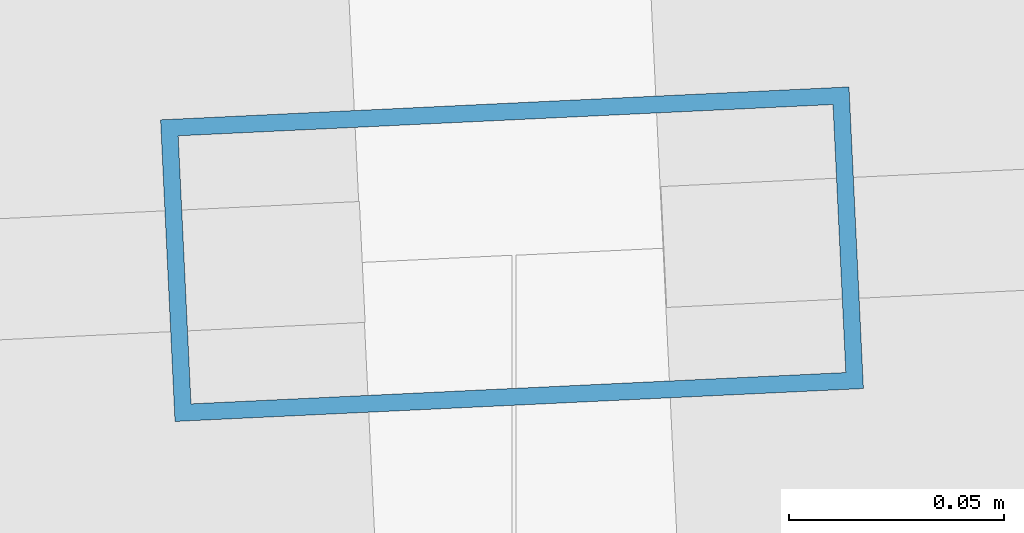
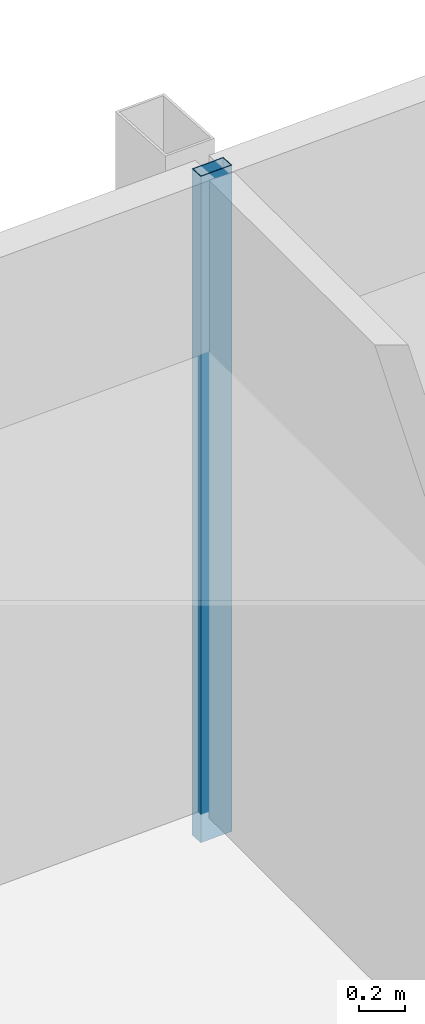
# One storey, part 19 of 34: 1 member, 1 element without a shape of its own.
"""IFC4 building model written with IfcOpenShell, lengths in metres."""

from ifc_helpers import new_model, si_unit, direction, frame, origin, origin_2d, place, context, subcontext, project, spatial, hollow_rectangle, extrude, material, material_profile, profile_set, type_object, element, aggregate, save


model = new_model("IFC4")

# Units and contexts
model_context = context("Model", 3, precision=1e-05, world=origin(), true_north=direction((0.0, 1.0)))
body_context = subcontext(model_context, "Body", "Model", "MODEL_VIEW")
ifc_project = project(units=[si_unit("LENGTHUNIT", "METRE"), si_unit("AREAUNIT", "SQUARE_METRE"), si_unit("VOLUMEUNIT", "CUBIC_METRE"), si_unit("PLANEANGLEUNIT", "RADIAN"), si_unit("MASSUNIT", "GRAM", prefix="KILO")], contexts=[model_context])

# Site, building, storey
site_placement = place(None, origin())
site = spatial("IfcSite", under=ifc_project, at=site_placement, CompositionType="ELEMENT")
building_placement = place(site_placement, origin())
building = spatial("IfcBuilding", under=site, at=building_placement, Name="Rekha Terrace Tower", CompositionType="ELEMENT")
storey_placement = place(building_placement, frame((0.0, 0.0, 176.449951171875)))
storey = spatial("IfcBuildingStorey", under=building, at=storey_placement, Name="L44", CompositionType="ELEMENT", Elevation=176.449951171875)

# Curtain wall, member
ifc_material_1 = material(Name="Aluminium framing", Category="aluminium")
curtain_wall_type = type_object("IfcCurtainWallType", Name="CW3 north unitised glazing", PredefinedType="USERDEFINED", material=ifc_material_1)
curtain_wall_placement = place(storey_placement, origin())
curtain_wall = element("IfcCurtainWall", 1, at=curtain_wall_placement, inside=storey, type_object=curtain_wall_type, Name="CW3 unitised curtain wall", ObjectType="UNITISED CURTAIN WALL", PredefinedType="USERDEFINED")
ifc_material_2 = material(Name="Aluminium mullion section", Category="aluminium")
ifc_material_profile = material_profile(ifc_material_2, hollow_rectangle(XDim=0.070068359375, YDim=0.159912109375, WallThickness=0.00390625, at=origin_2d()), Name="AL RHS 70x160")
ifc_profile_set = profile_set([ifc_material_profile], Name="Aluminium mullion section")
member_type = type_object("IfcMemberType", Name="CW3 mullion RHS 70 x 160", PredefinedType="MULLION", material=ifc_profile_set)
member_placement = place(storey_placement, frame((38.570068359375, 61.771240234375, 0.0), z_axis=(0.0, 0.0, 1.0), x_axis=(0.047758616983, -0.998858906204, 0.0)))
member = element("IfcMember", 2, at=member_placement, type_object=member_type, Name="CW3 mullion 2", PredefinedType="MULLION", context=body_context, shape_type="SweptSolid", body=[
    extrude(hollow_rectangle(XDim=0.070068359375, YDim=0.159912109375, WallThickness=0.00390625, at=origin_2d()), origin(), (0.0, 0.0, 1.0), 3.5),
])
aggregate(curtain_wall, [member])

save(model, "model.ifc")
